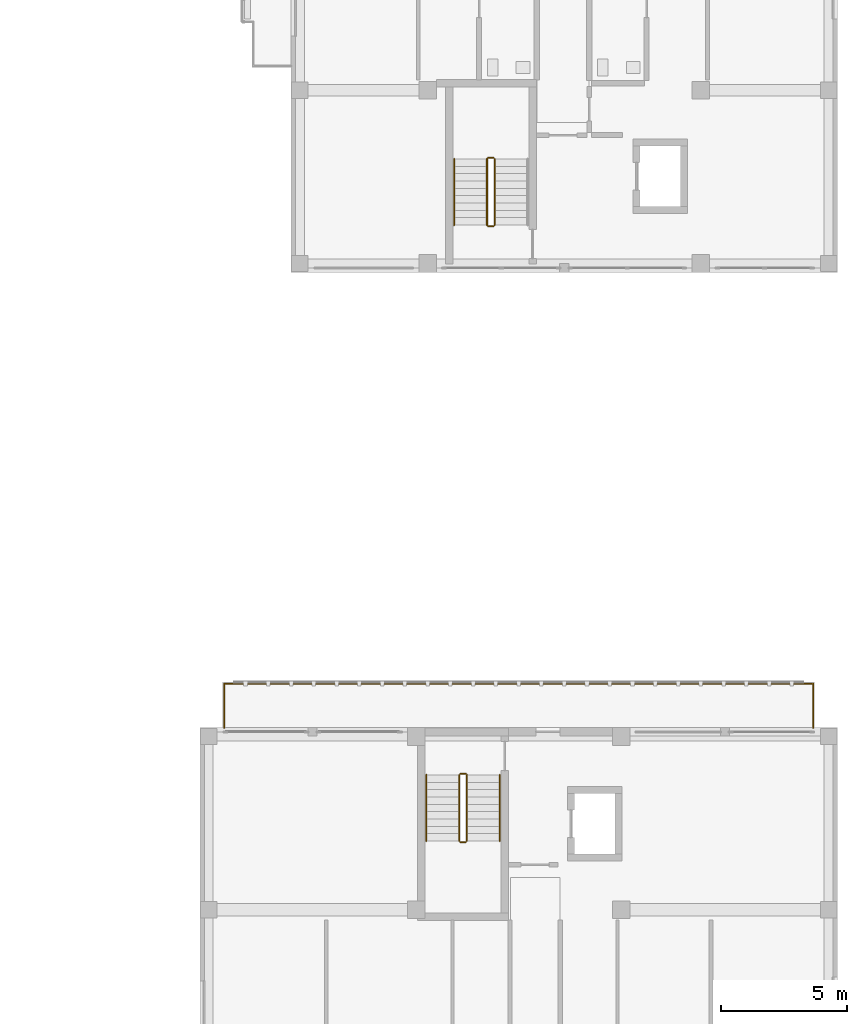
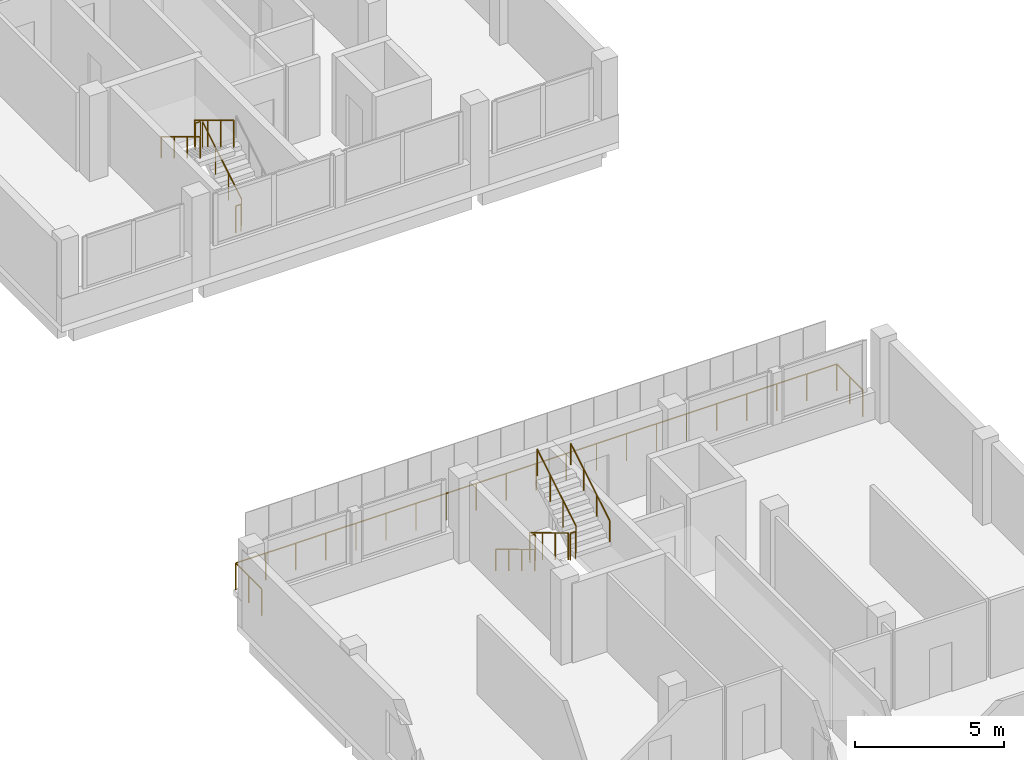
# One storey, part 69 of 73: 12 railings.
"""IFC4 building model written with IfcOpenShell, lengths in metres."""

import ifcopenshell
import ifcopenshell.guid

model = None  # the IFC model being written
_history = None  # IfcOwnerHistory: only IFC2X3 demands one
_inside = {}  # id of a spatial element -> (the spatial element, [elements in it])
_under = {}  # id of a project, library or spatial element -> (it, [spatial elements below it])
_declared = {}  # id of a project -> (the project, [libraries it declares])
_typed = {}  # id of a type object -> (the type object, [elements of that type])
_made_of = {}  # id of a material, layer set ... -> (it, [elements and type objects made of it])


def new_model(schema):
    """Start an empty IFC model of exactly this schema.

    Asked for "IFC4X3", IfcOpenShell would pick the latest addendum, in which some entities
    have other attributes; the version numbers below select the first issue.
    IFC2X3 requires an IfcOwnerHistory on every rooted entity: one is made here for all.
    """
    global model, _history
    if schema == "IFC4X3":
        model = ifcopenshell.file(schema_version=(4, 3, 0, 0))
    else:
        model = ifcopenshell.file(schema=schema)
    _inside.clear()
    _under.clear()
    _declared.clear()
    _typed.clear()
    _made_of.clear()
    _history = None
    if model.schema == "IFC2X3":
        org = make("IfcOrganization", Name="unknown")
        user = make(
            "IfcPersonAndOrganization",
            ThePerson=make("IfcPerson", FamilyName="unknown"),
            TheOrganization=org,
        )
        app = make(
            "IfcApplication",
            ApplicationDeveloper=org,
            Version="unknown",
            ApplicationFullName="unknown",
            ApplicationIdentifier="unknown",
        )
        _history = make(
            "IfcOwnerHistory",
            OwningUser=user,
            OwningApplication=app,
            ChangeAction="ADDED",
            CreationDate=0,
        )
    return model


def make(cls, **values):
    """One entity of the class cls with the attributes given. An attribute that is None is left unset."""
    return model.create_entity(
        cls, **{name: value for name, value in values.items() if value is not None}
    )


def rooted(cls, **values):
    """An entity with a GlobalId (a new one), such as an element, a storey or a relation."""
    return make(cls, GlobalId=ifcopenshell.guid.new(), OwnerHistory=_history, **values)


def si_unit(unit_type, name, prefix=None):
    """IfcSIUnit, for example si_unit("LENGTHUNIT", "METRE", prefix="MILLI")."""
    return make("IfcSIUnit", UnitType=unit_type, Prefix=prefix, Name=name)


def derived_unit(unit_type, elements):
    """IfcDerivedUnit: a product of units, each with its exponent."""
    return make(
        "IfcDerivedUnit",
        Elements=[
            make("IfcDerivedUnitElement", Unit=unit, Exponent=power)
            for unit, power in elements
        ],
        UnitType=unit_type,
    )


def assignment(units):
    """IfcUnitAssignment: the units of a project."""
    return None if units is None else make("IfcUnitAssignment", Units=units)


def point(xyz):
    """IfcCartesianPoint."""
    return None if xyz is None else make("IfcCartesianPoint", Coordinates=xyz)


def direction(xyz):
    """IfcDirection."""
    return None if xyz is None else make("IfcDirection", DirectionRatios=xyz)


def frame(location, z_axis=None, x_axis=None):
    """IfcAxis2Placement3D, a coordinate frame: its origin and axes. An axis left out is left unset."""
    return make(
        "IfcAxis2Placement3D",
        Location=point(location),
        Axis=direction(z_axis),
        RefDirection=direction(x_axis),
    )


def frame_2d(location, x_axis=None):
    """IfcAxis2Placement2D, a coordinate frame in the plane: its origin and x axis."""
    return make(
        "IfcAxis2Placement2D", Location=point(location), RefDirection=direction(x_axis)
    )


def origin():
    """The frame at (0, 0, 0) with its axes left unset."""
    return frame((0.0, 0.0, 0.0))


def origin_2d():
    """The frame at (0, 0) in the plane with its x axis left unset."""
    return frame_2d((0.0, 0.0))


def place(relative_to, where):
    """IfcLocalPlacement: puts the frame where relative to a parent placement (None: the world)."""
    return make(
        "IfcLocalPlacement", PlacementRelTo=relative_to, RelativePlacement=where
    )


def context(
    kind, dimensions, precision=None, world=None, true_north=None, identifier=None
):
    """IfcGeometricRepresentationContext, for example the 3D "Model" context."""
    return make(
        "IfcGeometricRepresentationContext",
        ContextIdentifier=identifier,
        ContextType=kind,
        CoordinateSpaceDimension=dimensions,
        Precision=precision,
        WorldCoordinateSystem=world,
        TrueNorth=true_north,
    )


def subcontext(parent, identifier, kind, view, scale=None):
    """IfcGeometricRepresentationSubContext, for example "Body" below "Model"."""
    return make(
        "IfcGeometricRepresentationSubContext",
        ContextIdentifier=identifier,
        ContextType=kind,
        ParentContext=parent,
        TargetScale=scale,
        TargetView=view,
    )


def project(units=None, contexts=None):
    """IfcProject with its units and contexts."""
    return rooted(
        "IfcProject",
        Name="project",
        RepresentationContexts=contexts,
        UnitsInContext=assignment(units),
    )


def spatial(cls, under=None, at=None, **own):
    """A site, building, storey or space (cls), placed at a placement, below another one or the project."""
    s = rooted(cls, ObjectPlacement=at, **own)
    if under is not None:
        _under.setdefault(under.id(), (under, []))[1].append(s)
    return s


def profile(cls, at=None, kind="AREA", **sizes):
    """A parametric profile (cls). Its sizes go by their IFC names, for example OverallWidth=200.0."""
    return make(cls, ProfileType=kind, Position=at, **sizes)


def circle(**sizes):
    """IfcCircleProfileDef."""
    return profile("IfcCircleProfileDef", **sizes)


def extrude(swept, where, along, depth):
    """IfcExtrudedAreaSolid: the profile swept, set in the frame where, extruded along a direction by depth."""
    return make(
        "IfcExtrudedAreaSolid",
        SweptArea=swept,
        Position=where,
        ExtrudedDirection=direction(along),
        Depth=depth,
    )


def shape(context_of_items, identifier, shape_type, items):
    """IfcShapeRepresentation: the items that make up one representation, for example the "Body"."""
    return make(
        "IfcShapeRepresentation",
        ContextOfItems=context_of_items,
        RepresentationIdentifier=identifier,
        RepresentationType=shape_type,
        Items=items,
    )


def material(Name=None, Category=None):
    """IfcMaterial."""
    return make("IfcMaterial", Name=Name, Category=Category)


def made_of(thing, what):
    """Note that an element or type object is made of a material, layer set ...; save() writes the relation."""
    if what is not None:
        _made_of.setdefault(what.id(), (what, []))[1].append(thing)
    return thing


def type_object(cls, material=None, **own):
    """A type object (cls), such as IfcWallType, which elements share."""
    return made_of(rooted(cls, **own), material)


def element(
    cls,
    number,
    at=None,
    inside=None,
    cuts=None,
    type_object=None,
    material=None,
    context=None,
    identifier="Body",
    shape_type=None,
    held_by="IfcProductDefinitionShape",
    body=None,
    shapes=None,
    **own,
):
    """One element of the class cls, such as IfcWall. Its Tag is "e" and its number.

    at: its placement. inside: the storey or other place that contains it. cuts: it is an
    opening in that element (IfcRelVoidsElement). A single representation is given by context,
    identifier, shape_type and body (its items); several are given by shapes. held_by: the class
    of the entity that holds the representations. save() writes the other relations.
    """
    e = rooted(cls, Tag="e%d" % number, ObjectPlacement=at, **own)
    if body is not None:
        shapes = [shape(context, identifier, shape_type, body)]
    if shapes is not None:
        e.Representation = make(held_by, Representations=shapes)
    if inside is not None:
        _inside.setdefault(inside.id(), (inside, []))[1].append(e)
    if cuts is not None:
        rooted(
            "IfcRelVoidsElement", RelatingBuildingElement=cuts, RelatedOpeningElement=e
        )
    if type_object is not None:
        _typed.setdefault(type_object.id(), (type_object, []))[1].append(e)
    return made_of(e, material)


def aggregate(whole, parts):
    """IfcRelAggregates: a whole, such as a stair, and the parts it consists of."""
    return rooted("IfcRelAggregates", RelatingObject=whole, RelatedObjects=parts)


def save(model, path):
    """Write the relations noted so far, then the file.

    IfcRelAggregates (storeys below a building ...), IfcRelContainedInSpatialStructure (elements
    in a storey), IfcRelDefinesByType, IfcRelAssociatesMaterial and IfcRelDeclares: one each for
    every whole, place, type object, material and project.
    """
    for whole, parts in _under.values():
        aggregate(whole, parts)
    for where, things in _inside.values():
        rooted(
            "IfcRelContainedInSpatialStructure",
            RelatedElements=things,
            RelatingStructure=where,
        )
    for kind, things in _typed.values():
        rooted("IfcRelDefinesByType", RelatedObjects=things, RelatingType=kind)
    for what, things in _made_of.values():
        rooted("IfcRelAssociatesMaterial", RelatedObjects=things, RelatingMaterial=what)
    for by, libraries in _declared.values():
        rooted("IfcRelDeclares", RelatingContext=by, RelatedDefinitions=libraries)
    model.write(path)


model = new_model("IFC4")

# Units and contexts
model_context = context("Model", 3, precision=1e-05, world=origin(), true_north=direction((0.0, 1.0)))
body_context = subcontext(model_context, "Body", "Model", "MODEL_VIEW")
ifc_project = project(units=[si_unit("LENGTHUNIT", "METRE"), si_unit("AREAUNIT", "SQUARE_METRE"), si_unit("VOLUMEUNIT", "CUBIC_METRE"), si_unit("PLANEANGLEUNIT", "RADIAN"), si_unit("MASSUNIT", "GRAM", prefix="KILO"), derived_unit("THERMALTRANSMITTANCEUNIT", [(si_unit("MASSUNIT", "GRAM", prefix="KILO"), 1), (si_unit("TIMEUNIT", "SECOND"), -3), (si_unit("THERMODYNAMICTEMPERATUREUNIT", "KELVIN"), -1)])], contexts=[model_context])

# Site, building, storey
site_placement = place(None, origin())
site = spatial("IfcSite", under=ifc_project, at=site_placement, CompositionType="ELEMENT")
building_placement = place(site_placement, origin())
building = spatial("IfcBuilding", under=site, at=building_placement, Name="Ochrekiln Boulevard Commons", CompositionType="ELEMENT")
storey_placement = place(building_placement, frame((0.0, 0.0, 8.574951171875)))
storey = spatial("IfcBuildingStorey", under=building, at=storey_placement, Name="L02", CompositionType="ELEMENT", Elevation=8.574951171875)

# Railings
ifc_material_1 = material(Name="Bronze-anodized extruded aluminium 6063-T6", Category="aluminium")
railing_type_1 = type_object("IfcRailingType", Name="RLG-BAL-1120", PredefinedType="BALUSTRADE", material=ifc_material_1)
railing_1_placement = place(storey_placement, frame((148.56005859375, 50.39990234375, 0.0)))
element("IfcRailing", 1, at=railing_1_placement, inside=storey, type_object=railing_type_1, Name="Block C L02 Screened Balcony Guard", PredefinedType="BALUSTRADE", context=body_context, shape_type="SweptSolid", body=[
    extrude(circle(Radius=0.02392578125, at=origin_2d()), frame((0.0, 0.0, 1.09619140625), z_axis=(0.0, 1.0, 0.0), x_axis=(-1.0, 0.0, 0.0)), (0.0, 0.0, 1.0), 1.739990234375),
    extrude(circle(Radius=0.02392578125, at=origin_2d()), frame((0.0, 1.739990234375, 1.09619140625), z_axis=(1.0, 0.0, 0.0), x_axis=(0.0, 1.0, 0.0)), (0.0, 0.0, 1.0), 23.280029296875),
    extrude(circle(Radius=0.02392578125, at=origin_2d()), frame((23.280029296875, 1.739990234375, 1.09619140625), z_axis=(0.0, -1.0, 0.0), x_axis=(1.0, 0.0, 0.0)), (0.0, 0.0, 1.0), 1.739990234375),
    extrude(circle(Radius=0.02099609375, at=origin_2d()), origin(), (0.0, 0.0, 1.0), 1.072021484375),
    extrude(circle(Radius=0.02099609375, at=origin_2d()), frame((0.0, 0.8701171875, 0.0)), (0.0, 0.0, 1.0), 1.072021484375),
    extrude(circle(Radius=0.02099609375, at=origin_2d()), frame((0.0, 1.739990234375, 0.0)), (0.0, 0.0, 1.0), 1.072021484375),
    extrude(circle(Radius=0.02099609375, at=origin_2d()), frame((1.1640625, 1.739990234375, 0.0)), (0.0, 0.0, 1.0), 1.072021484375),
    extrude(circle(Radius=0.02099609375, at=origin_2d()), frame((2.328125, 1.739990234375, 0.0)), (0.0, 0.0, 1.0), 1.072021484375),
    extrude(circle(Radius=0.02099609375, at=origin_2d()), frame((3.491943359375, 1.739990234375, 0.0)), (0.0, 0.0, 1.0), 1.072021484375),
    extrude(circle(Radius=0.02099609375, at=origin_2d()), frame((4.656005859375, 1.739990234375, 0.0)), (0.0, 0.0, 1.0), 1.072021484375),
    extrude(circle(Radius=0.02099609375, at=origin_2d()), frame((5.820068359375, 1.739990234375, 0.0)), (0.0, 0.0, 1.0), 1.072021484375),
    extrude(circle(Radius=0.02099609375, at=origin_2d()), frame((6.98388671875, 1.739990234375, 0.0)), (0.0, 0.0, 1.0), 1.072021484375),
    extrude(circle(Radius=0.02099609375, at=origin_2d()), frame((8.14794921875, 1.739990234375, 0.0)), (0.0, 0.0, 1.0), 1.072021484375),
    extrude(circle(Radius=0.02099609375, at=origin_2d()), frame((9.31201171875, 1.739990234375, 0.0)), (0.0, 0.0, 1.0), 1.072021484375),
    extrude(circle(Radius=0.02099609375, at=origin_2d()), frame((10.47607421875, 1.739990234375, 0.0)), (0.0, 0.0, 1.0), 1.072021484375),
    extrude(circle(Radius=0.02099609375, at=origin_2d()), frame((11.64013671875, 1.739990234375, 0.0)), (0.0, 0.0, 1.0), 1.072021484375),
    extrude(circle(Radius=0.02099609375, at=origin_2d()), frame((12.803955078125, 1.739990234375, 0.0)), (0.0, 0.0, 1.0), 1.072021484375),
    extrude(circle(Radius=0.02099609375, at=origin_2d()), frame((13.968017578125, 1.739990234375, 0.0)), (0.0, 0.0, 1.0), 1.072021484375),
    extrude(circle(Radius=0.02099609375, at=origin_2d()), frame((15.132080078125, 1.739990234375, 0.0)), (0.0, 0.0, 1.0), 1.072021484375),
    extrude(circle(Radius=0.02099609375, at=origin_2d()), frame((16.2958984375, 1.739990234375, 0.0)), (0.0, 0.0, 1.0), 1.072021484375),
    extrude(circle(Radius=0.02099609375, at=origin_2d()), frame((17.4599609375, 1.739990234375, 0.0)), (0.0, 0.0, 1.0), 1.072021484375),
    extrude(circle(Radius=0.02099609375, at=origin_2d()), frame((18.6240234375, 1.739990234375, 0.0)), (0.0, 0.0, 1.0), 1.072021484375),
    extrude(circle(Radius=0.02099609375, at=origin_2d()), frame((19.7880859375, 1.739990234375, 0.0)), (0.0, 0.0, 1.0), 1.072021484375),
    extrude(circle(Radius=0.02099609375, at=origin_2d()), frame((20.9521484375, 1.739990234375, 0.0)), (0.0, 0.0, 1.0), 1.072021484375),
    extrude(circle(Radius=0.02099609375, at=origin_2d()), frame((22.115966796875, 1.739990234375, 0.0)), (0.0, 0.0, 1.0), 1.072021484375),
    extrude(circle(Radius=0.02099609375, at=origin_2d()), frame((23.280029296875, 1.739990234375, 0.0)), (0.0, 0.0, 1.0), 1.072021484375),
    extrude(circle(Radius=0.02099609375, at=origin_2d()), frame((23.280029296875, 0.8701171875, 0.0)), (0.0, 0.0, 1.0), 1.072021484375),
    extrude(circle(Radius=0.02099609375, at=origin_2d()), frame((23.280029296875, 0.0, 0.0)), (0.0, 0.0, 1.0), 1.072021484375),
])
ifc_material_2 = material(Name="Brushed stainless steel 316 tubular railing", Category="steel")
railing_type_2 = type_object("IfcRailingType", Name="RLG-HDR-900", PredefinedType="HANDRAIL", material=ifc_material_2)
railing_2_placement = place(storey_placement, frame((157.64990234375, 72.8798828125, 1.925048828125)))
element("IfcRailing", 2, at=railing_2_placement, inside=storey, type_object=railing_type_2, Name="L02 ST-B1 stair handrail 2", PredefinedType="HANDRAIL", context=body_context, shape_type="SweptSolid", body=[
    extrude(circle(Radius=0.02392578125, at=origin_2d()), frame((0.0, 0.0, 0.8759765625), z_axis=(0.0, -0.85618277418, 0.516673066065), x_axis=(1.0, 0.0, 0.0)), (0.0, 0.0, 1.0), 3.04833984375),
    extrude(circle(Radius=0.02099609375, at=origin_2d()), origin(), (0.0, 0.0, 1.0), 0.851806640625),
    extrude(circle(Radius=0.02099609375, at=origin_2d()), frame((0.0, -0.869873046875, 0.52490234375)), (0.0, 0.0, 1.0), 0.851806640625),
    extrude(circle(Radius=0.02099609375, at=origin_2d()), frame((0.0, -1.739990234375, 1.050048828125)), (0.0, 0.0, 1.0), 0.851806640625),
    extrude(circle(Radius=0.02099609375, at=origin_2d()), frame((0.0, -2.60986328125, 1.574951171875)), (0.0, 0.0, 1.0), 0.851806640625),
])
railing_3_placement = place(storey_placement, frame((156.550048828125, 48.530029296875, 0.175048828125)))
element("IfcRailing", 3, at=railing_3_placement, inside=storey, type_object=railing_type_2, Name="L02 ST-C2 stair handrail 1", PredefinedType="HANDRAIL", context=body_context, shape_type="SweptSolid", body=[
    extrude(circle(Radius=0.02392578125, at=origin_2d()), frame((0.0, 0.0, 0.8759765625), z_axis=(0.0, -0.856204152608, 0.516637638057), x_axis=(1.0, 0.0, 0.0)), (0.0, 0.0, 1.0), 3.048583984375),
    extrude(circle(Radius=0.02099609375, at=origin_2d()), origin(), (0.0, 0.0, 1.0), 0.851806640625),
    extrude(circle(Radius=0.02099609375, at=origin_2d()), frame((0.0, -0.8701171875, 0.52490234375)), (0.0, 0.0, 1.0), 0.851806640625),
    extrude(circle(Radius=0.02099609375, at=origin_2d()), frame((0.0, -1.739990234375, 1.050048828125)), (0.0, 0.0, 1.0), 0.851806640625),
    extrude(circle(Radius=0.02099609375, at=origin_2d()), frame((0.0, -2.610107421875, 1.574951171875)), (0.0, 0.0, 1.0), 0.851806640625),
])
railing_4_placement = place(storey_placement, frame((159.449951171875, 45.919921875, 1.925048828125)))
element("IfcRailing", 4, at=railing_4_placement, inside=storey, type_object=railing_type_2, Name="L02 ST-C2 stair handrail 2", PredefinedType="HANDRAIL", context=body_context, shape_type="SweptSolid", body=[
    extrude(circle(Radius=0.02392578125, at=origin_2d()), frame((0.0, 0.0, 0.8759765625), z_axis=(0.0, 0.856204152608, 0.516637638057), x_axis=(-1.0, 0.0, 0.0)), (0.0, 0.0, 1.0), 3.048583984375),
    extrude(circle(Radius=0.02099609375, at=origin_2d()), origin(), (0.0, 0.0, 1.0), 0.851806640625),
    extrude(circle(Radius=0.02099609375, at=origin_2d()), frame((0.0, 0.8701171875, 0.52490234375)), (0.0, 0.0, 1.0), 0.851806640625),
    extrude(circle(Radius=0.02099609375, at=origin_2d()), frame((0.0, 1.739990234375, 1.050048828125)), (0.0, 0.0, 1.0), 0.851806640625),
    extrude(circle(Radius=0.02099609375, at=origin_2d()), frame((0.0, 2.610107421875, 1.574951171875)), (0.0, 0.0, 1.0), 0.851806640625),
])
railing_type_3 = type_object("IfcRailingType", Name="RLG-STR-1120", PredefinedType="BALUSTRADE", material=ifc_material_2)
railing_5_placement = place(storey_placement, frame((159.25, 70.27001953125, 0.175048828125)))
element("IfcRailing", 5, at=railing_5_placement, inside=storey, type_object=railing_type_3, Name="L02 ST-B1 stair guard 1", PredefinedType="BALUSTRADE", context=body_context, shape_type="SweptSolid", body=[
    extrude(circle(Radius=0.02392578125, at=origin_2d()), frame((0.0, 0.0, 1.09619140625), z_axis=(0.0, 0.85618277418, 0.516673066065), x_axis=(-1.0, 0.0, 0.0)), (0.0, 0.0, 1.0), 3.04833984375),
    extrude(circle(Radius=0.02099609375, at=origin_2d()), origin(), (0.0, 0.0, 1.0), 1.072021484375),
    extrude(circle(Radius=0.02099609375, at=origin_2d()), frame((0.0, 0.869873046875, 0.52490234375)), (0.0, 0.0, 1.0), 1.072021484375),
    extrude(circle(Radius=0.02099609375, at=origin_2d()), frame((0.0, 1.739990234375, 1.050048828125)), (0.0, 0.0, 1.0), 1.072021484375),
    extrude(circle(Radius=0.02099609375, at=origin_2d()), frame((0.0, 2.60986328125, 1.574951171875)), (0.0, 0.0, 1.0), 1.072021484375),
])
railing_6_placement = place(storey_placement, frame((159.199951171875, 72.929931640625, 1.75)))
element("IfcRailing", 6, at=railing_6_placement, inside=storey, type_object=railing_type_3, Name="L02 ST-B1 stair guard 2", PredefinedType="BALUSTRADE", context=body_context, shape_type="SweptSolid", body=[
    extrude(circle(Radius=0.02392578125, at=origin_2d()), frame((0.0, 0.0, 1.09619140625), z_axis=(-1.0, 0.0, 0.0), x_axis=(0.0, -1.0, 0.0)), (0.0, 0.0, 1.0), 0.199951171875),
    extrude(circle(Radius=0.02099609375, at=origin_2d()), origin(), (0.0, 0.0, 1.0), 1.072021484375),
    extrude(circle(Radius=0.02099609375, at=origin_2d()), frame((-0.199951171875, 0.0, 0.0)), (0.0, 0.0, 1.0), 1.072021484375),
])
railing_7_placement = place(storey_placement, frame((158.949951171875, 72.8798828125, 1.925048828125)))
element("IfcRailing", 7, at=railing_7_placement, inside=storey, type_object=railing_type_3, Name="L02 ST-B1 stair guard 3", PredefinedType="BALUSTRADE", context=body_context, shape_type="SweptSolid", body=[
    extrude(circle(Radius=0.02392578125, at=origin_2d()), frame((0.0, 0.0, 1.09619140625), z_axis=(0.0, -0.85618277418, 0.516673066065), x_axis=(1.0, 0.0, 0.0)), (0.0, 0.0, 1.0), 3.04833984375),
    extrude(circle(Radius=0.02099609375, at=origin_2d()), origin(), (0.0, 0.0, 1.0), 1.072021484375),
    extrude(circle(Radius=0.02099609375, at=origin_2d()), frame((0.0, -0.869873046875, 0.52490234375)), (0.0, 0.0, 1.0), 1.072021484375),
    extrude(circle(Radius=0.02099609375, at=origin_2d()), frame((0.0, -1.739990234375, 1.050048828125)), (0.0, 0.0, 1.0), 1.072021484375),
    extrude(circle(Radius=0.02099609375, at=origin_2d()), frame((0.0, -2.60986328125, 1.574951171875)), (0.0, 0.0, 1.0), 1.072021484375),
])
railing_8_placement = place(storey_placement, frame((159.199951171875, 70.219970703125, 0.0)))
element("IfcRailing", 8, at=railing_8_placement, inside=storey, type_object=railing_type_3, Name="L02 ST-B1 stair guard 4", PredefinedType="BALUSTRADE", context=body_context, shape_type="SweptSolid", body=[
    extrude(circle(Radius=0.02392578125, at=origin_2d()), frame((0.0, 0.0, 1.09619140625), z_axis=(-1.0, 0.0, 0.0), x_axis=(0.0, -1.0, 0.0)), (0.0, 0.0, 1.0), 0.199951171875),
    extrude(circle(Radius=0.02099609375, at=origin_2d()), origin(), (0.0, 0.0, 1.0), 1.072021484375),
    extrude(circle(Radius=0.02099609375, at=origin_2d()), frame((-0.199951171875, 0.0, 0.0)), (0.0, 0.0, 1.0), 1.072021484375),
])
railing_9_placement = place(storey_placement, frame((157.85009765625, 48.530029296875, 0.175048828125)))
element("IfcRailing", 9, at=railing_9_placement, inside=storey, type_object=railing_type_3, Name="L02 ST-C2 stair guard 1", PredefinedType="BALUSTRADE", context=body_context, shape_type="SweptSolid", body=[
    extrude(circle(Radius=0.02392578125, at=origin_2d()), frame((0.0, 0.0, 1.09619140625), z_axis=(0.0, -0.856204152608, 0.516637638057), x_axis=(1.0, 0.0, 0.0)), (0.0, 0.0, 1.0), 3.048583984375),
    extrude(circle(Radius=0.02099609375, at=origin_2d()), origin(), (0.0, 0.0, 1.0), 1.072021484375),
    extrude(circle(Radius=0.02099609375, at=origin_2d()), frame((0.0, -0.8701171875, 0.52490234375)), (0.0, 0.0, 1.0), 1.072021484375),
    extrude(circle(Radius=0.02099609375, at=origin_2d()), frame((0.0, -1.739990234375, 1.050048828125)), (0.0, 0.0, 1.0), 1.072021484375),
    extrude(circle(Radius=0.02099609375, at=origin_2d()), frame((0.0, -2.610107421875, 1.574951171875)), (0.0, 0.0, 1.0), 1.072021484375),
])
railing_10_placement = place(storey_placement, frame((157.89990234375, 45.8701171875, 1.75)))
element("IfcRailing", 10, at=railing_10_placement, inside=storey, type_object=railing_type_3, Name="L02 ST-C2 stair guard 2", PredefinedType="BALUSTRADE", context=body_context, shape_type="SweptSolid", body=[
    extrude(circle(Radius=0.02392578125, at=origin_2d()), frame((0.0, 0.0, 1.09619140625), z_axis=(1.0, 0.0, 0.0), x_axis=(0.0, 1.0, 0.0)), (0.0, 0.0, 1.0), 0.2001953125),
    extrude(circle(Radius=0.02099609375, at=origin_2d()), origin(), (0.0, 0.0, 1.0), 1.072021484375),
    extrude(circle(Radius=0.02099609375, at=origin_2d()), frame((0.2001953125, 0.0, 0.0)), (0.0, 0.0, 1.0), 1.072021484375),
])
railing_11_placement = place(storey_placement, frame((158.14990234375, 45.919921875, 1.925048828125)))
element("IfcRailing", 11, at=railing_11_placement, inside=storey, type_object=railing_type_3, Name="L02 ST-C2 stair guard 3", PredefinedType="BALUSTRADE", context=body_context, shape_type="SweptSolid", body=[
    extrude(circle(Radius=0.02392578125, at=origin_2d()), frame((0.0, 0.0, 1.09619140625), z_axis=(0.0, 0.856204152608, 0.516637638057), x_axis=(-1.0, 0.0, 0.0)), (0.0, 0.0, 1.0), 3.048583984375),
    extrude(circle(Radius=0.02099609375, at=origin_2d()), origin(), (0.0, 0.0, 1.0), 1.072021484375),
    extrude(circle(Radius=0.02099609375, at=origin_2d()), frame((0.0, 0.8701171875, 0.52490234375)), (0.0, 0.0, 1.0), 1.072021484375),
    extrude(circle(Radius=0.02099609375, at=origin_2d()), frame((0.0, 1.739990234375, 1.050048828125)), (0.0, 0.0, 1.0), 1.072021484375),
    extrude(circle(Radius=0.02099609375, at=origin_2d()), frame((0.0, 2.610107421875, 1.574951171875)), (0.0, 0.0, 1.0), 1.072021484375),
])
railing_12_placement = place(storey_placement, frame((157.89990234375, 48.580078125, 0.0)))
element("IfcRailing", 12, at=railing_12_placement, inside=storey, type_object=railing_type_3, Name="L02 ST-C2 stair guard 4", PredefinedType="BALUSTRADE", context=body_context, shape_type="SweptSolid", body=[
    extrude(circle(Radius=0.02392578125, at=origin_2d()), frame((0.0, 0.0, 1.09619140625), z_axis=(1.0, 0.0, 0.0), x_axis=(0.0, 1.0, 0.0)), (0.0, 0.0, 1.0), 0.2001953125),
    extrude(circle(Radius=0.02099609375, at=origin_2d()), origin(), (0.0, 0.0, 1.0), 1.072021484375),
    extrude(circle(Radius=0.02099609375, at=origin_2d()), frame((0.2001953125, 0.0, 0.0)), (0.0, 0.0, 1.0), 1.072021484375),
])

save(model, "model.ifc")
